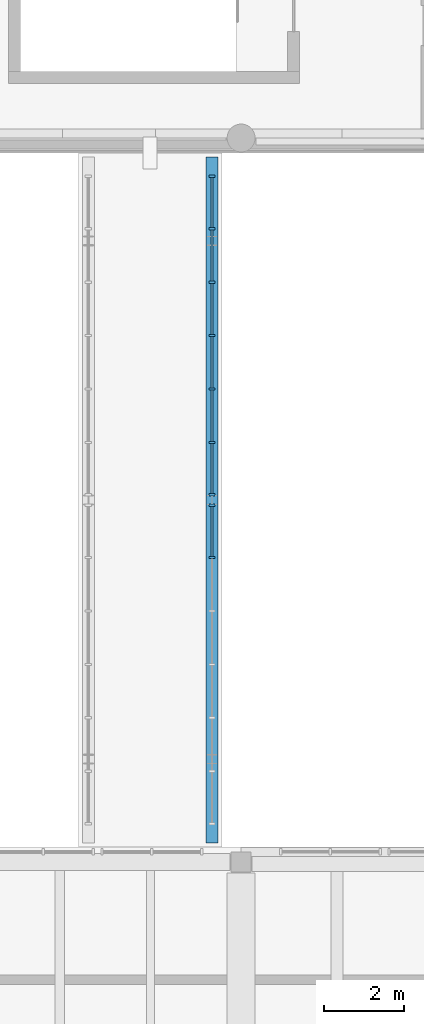
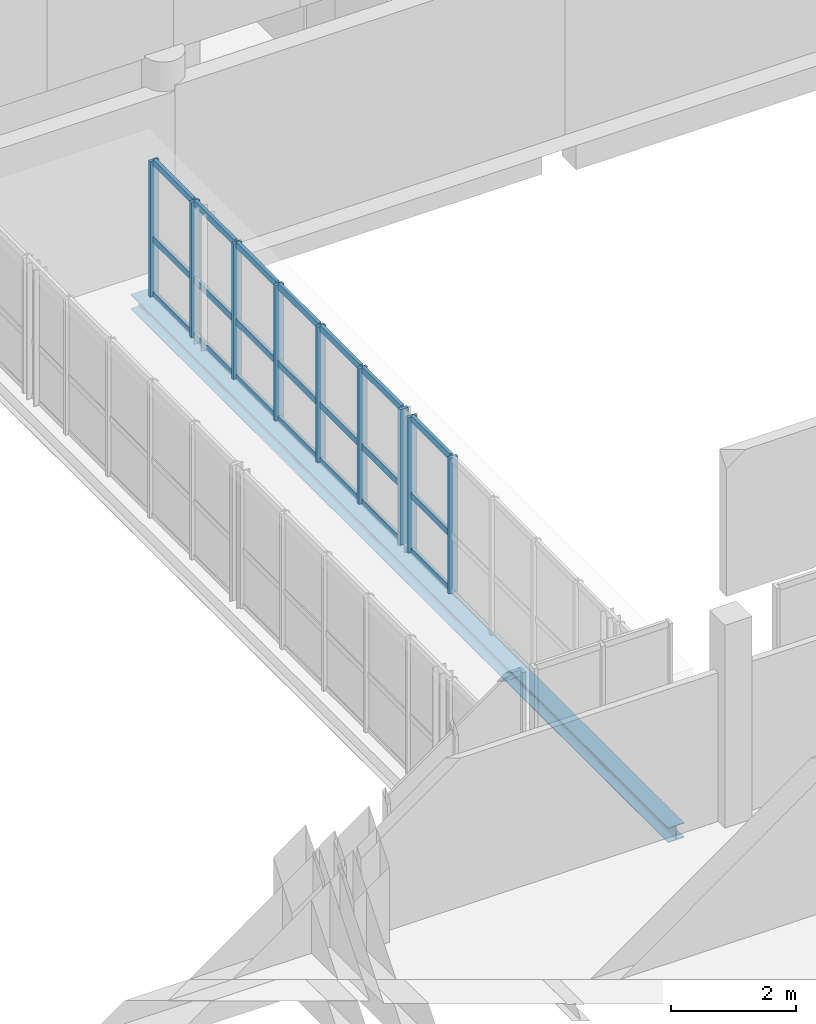
# One storey, part 13 of 76: 30 members, 1 beam, 2 elements without a shape of their own.
"""IFC4 building model written with IfcOpenShell, lengths in metres."""

from ifc_helpers import new_model, si_unit, direction, frame, origin, origin_2d, place, context, subcontext, project, spatial, rectangle, i_section, extrude, material, layer, layer_set, material_profile, profile_set, type_object, element, aggregate, save


model = new_model("IFC4")

# Units and contexts
model_context = context("Model", 3, precision=1e-05, world=origin(), true_north=direction((0.0, 1.0)))
body_context = subcontext(model_context, "Body", "Model", "MODEL_VIEW")
ifc_project = project(units=[si_unit("LENGTHUNIT", "METRE"), si_unit("AREAUNIT", "SQUARE_METRE"), si_unit("VOLUMEUNIT", "CUBIC_METRE"), si_unit("PLANEANGLEUNIT", "RADIAN"), si_unit("MASSUNIT", "GRAM", prefix="KILO")], contexts=[model_context])

# Site, building, storey
site_placement = place(None, origin())
site = spatial("IfcSite", under=ifc_project, at=site_placement, CompositionType="ELEMENT")
building_placement = place(site_placement, origin())
building = spatial("IfcBuilding", under=site, at=building_placement, Name="Vardoun Plaza Health Centre", CompositionType="ELEMENT")
storey_placement = place(building_placement, frame((0.0, 0.0, 4.5)))
storey = spatial("IfcBuildingStorey", under=building, at=storey_placement, Name="L01", CompositionType="ELEMENT", Elevation=4.5)

# Beam
ifc_material_1 = material(Name="Steel S355J2", Category="steel")
ifc_material_profile_1 = material_profile(ifc_material_1, i_section(OverallWidth=0.300048828125, OverallDepth=0.2900390625, WebThickness=0.008544921875, FlangeThickness=0.013916015625, FilletRadius=0.027099609375, at=origin_2d()), Name="HEA 300")
ifc_profile_set_1 = profile_set([ifc_material_profile_1], Name="Steel S355J2")
beam_type = type_object("IfcBeamType", Name="SB-05", PredefinedType="BEAM", material=ifc_profile_set_1)
beam_placement = place(storey_placement, frame((54.35009765625, 19.0, -0.364990234375), z_axis=(0.0, 1.0, 0.0), x_axis=(-1.0, 0.0, 0.0)))
element("IfcBeam", 1, at=beam_placement, inside=storey, type_object=beam_type, Name="Bridge BR-06 Edge Steel Girder E", PredefinedType="BEAM", context=body_context, shape_type="SweptSolid", body=[
    extrude(i_section(OverallWidth=0.300048828125, OverallDepth=0.2900390625, WebThickness=0.008544921875, FlangeThickness=0.013916015625, FilletRadius=0.027099609375, at=origin_2d()), origin(), (0.0, 0.0, 1.0), 17.199951171875),
])

# Curtain wall, members
ifc_material_2 = material(Name="Aluminium Alloy EN AW-6063-T6 and Low-E Glass", Category="aluminium")
ifc_layer = layer(ifc_material_2, 0.14990234375)
ifc_layer_set = layer_set([ifc_layer], Name="Aluminium Alloy EN AW-6063-T6 and Low-E Glass")
curtain_wall_type = type_object("IfcCurtainWallType", Name="CW-03", PredefinedType="NOTDEFINED", material=ifc_layer_set)
curtain_wall_1_placement = place(storey_placement, origin())
curtain_wall_1 = element("IfcCurtainWall", 2, at=curtain_wall_1_placement, inside=storey, type_object=curtain_wall_type, Name="Curtain Wall CW-BR-6ES", PredefinedType="NOTDEFINED")
ifc_material_3 = material(Name="Aluminium Alloy EN AW-6063-T6", Category="aluminium")
ifc_material_profile_2 = material_profile(ifc_material_3, rectangle(XDim=0.159912109375, YDim=0.06005859375, at=origin_2d()), Name="CWM 60x160")
ifc_profile_set_2 = profile_set([ifc_material_profile_2], Name="Aluminium Alloy EN AW-6063-T6")
member_type_1 = type_object("IfcMemberType", Name="CW-M1", PredefinedType="MULLION", material=ifc_profile_set_2)
member_1_placement = place(storey_placement, frame((54.35009765625, 27.469970703125, 0.0), z_axis=(0.0, 0.0, 1.0), x_axis=(1.0, 0.0, 0.0)))
member_1 = element("IfcMember", 3, at=member_1_placement, type_object=member_type_1, Name="CW-BR-6ES mullion 1", PredefinedType="MULLION", context=body_context, shape_type="SweptSolid", body=[
    extrude(rectangle(XDim=0.159912109375, YDim=0.06005859375, at=origin_2d()), origin(), (0.0, 0.0, 1.0), 2.64990234375),
])
member_2_placement = place(storey_placement, frame((54.35009765625, 26.158447265625, 0.0), z_axis=(0.0, 0.0, 1.0), x_axis=(1.0, 0.0, 0.0)))
member_2 = element("IfcMember", 4, at=member_2_placement, type_object=member_type_1, Name="CW-BR-6ES mullion 2", PredefinedType="MULLION", context=body_context, shape_type="SweptSolid", body=[
    extrude(rectangle(XDim=0.159912109375, YDim=0.06005859375, at=origin_2d()), origin(), (0.0, 0.0, 1.0), 2.64990234375),
])

curtain_wall_2_placement = place(storey_placement, origin())
curtain_wall_2 = element("IfcCurtainWall", 5, at=curtain_wall_2_placement, inside=storey, type_object=curtain_wall_type, Name="Curtain Wall CW-BR-6EN", PredefinedType="NOTDEFINED")
member_3_placement = place(storey_placement, frame((54.35009765625, 35.719970703125, 0.0), z_axis=(0.0, 0.0, 1.0), x_axis=(1.0, 0.0, 0.0)))
member_3 = element("IfcMember", 6, at=member_3_placement, type_object=member_type_1, Name="CW-BR-6EN mullion 1", PredefinedType="MULLION", context=body_context, shape_type="SweptSolid", body=[
    extrude(rectangle(XDim=0.159912109375, YDim=0.06005859375, at=origin_2d()), origin(), (0.0, 0.0, 1.0), 2.64990234375),
])
member_4_placement = place(storey_placement, frame((54.35009765625, 34.408447265625, 0.0), z_axis=(0.0, 0.0, 1.0), x_axis=(1.0, 0.0, 0.0)))
member_4 = element("IfcMember", 7, at=member_4_placement, type_object=member_type_1, Name="CW-BR-6EN mullion 2", PredefinedType="MULLION", context=body_context, shape_type="SweptSolid", body=[
    extrude(rectangle(XDim=0.159912109375, YDim=0.06005859375, at=origin_2d()), origin(), (0.0, 0.0, 1.0), 2.64990234375),
])
member_5_placement = place(storey_placement, frame((54.35009765625, 33.066650390625, 0.0), z_axis=(0.0, 0.0, 1.0), x_axis=(1.0, 0.0, 0.0)))
member_5 = element("IfcMember", 8, at=member_5_placement, type_object=member_type_1, Name="CW-BR-6EN mullion 3", PredefinedType="MULLION", context=body_context, shape_type="SweptSolid", body=[
    extrude(rectangle(XDim=0.159912109375, YDim=0.06005859375, at=origin_2d()), origin(), (0.0, 0.0, 1.0), 2.64990234375),
])
member_6_placement = place(storey_placement, frame((54.35009765625, 31.72509765625, 0.0), z_axis=(0.0, 0.0, 1.0), x_axis=(1.0, 0.0, 0.0)))
member_6 = element("IfcMember", 9, at=member_6_placement, type_object=member_type_1, Name="CW-BR-6EN mullion 4", PredefinedType="MULLION", context=body_context, shape_type="SweptSolid", body=[
    extrude(rectangle(XDim=0.159912109375, YDim=0.06005859375, at=origin_2d()), origin(), (0.0, 0.0, 1.0), 2.64990234375),
])
member_7_placement = place(storey_placement, frame((54.35009765625, 30.38330078125, 0.0), z_axis=(0.0, 0.0, 1.0), x_axis=(1.0, 0.0, 0.0)))
member_7 = element("IfcMember", 10, at=member_7_placement, type_object=member_type_1, Name="CW-BR-6EN mullion 5", PredefinedType="MULLION", context=body_context, shape_type="SweptSolid", body=[
    extrude(rectangle(XDim=0.159912109375, YDim=0.06005859375, at=origin_2d()), origin(), (0.0, 0.0, 1.0), 2.64990234375),
])
member_8_placement = place(storey_placement, frame((54.35009765625, 29.041748046875, 0.0), z_axis=(0.0, 0.0, 1.0), x_axis=(1.0, 0.0, 0.0)))
member_8 = element("IfcMember", 11, at=member_8_placement, type_object=member_type_1, Name="CW-BR-6EN mullion 6", PredefinedType="MULLION", context=body_context, shape_type="SweptSolid", body=[
    extrude(rectangle(XDim=0.159912109375, YDim=0.06005859375, at=origin_2d()), origin(), (0.0, 0.0, 1.0), 2.64990234375),
])
member_9_placement = place(storey_placement, frame((54.35009765625, 27.72998046875, 0.0), z_axis=(0.0, 0.0, 1.0), x_axis=(1.0, 0.0, 0.0)))
member_9 = element("IfcMember", 12, at=member_9_placement, type_object=member_type_1, Name="CW-BR-6EN mullion 7", PredefinedType="MULLION", context=body_context, shape_type="SweptSolid", body=[
    extrude(rectangle(XDim=0.159912109375, YDim=0.06005859375, at=origin_2d()), origin(), (0.0, 0.0, 1.0), 2.64990234375),
])

# Member
ifc_material_4 = material(Name="Aluminium Alloy EN AW-6063-T6", Category="aluminium")
ifc_material_profile_3 = material_profile(ifc_material_4, rectangle(XDim=0.06005859375, YDim=0.1201171875, at=origin_2d()), Name="CWT 60x120")
ifc_profile_set_3 = profile_set([ifc_material_profile_3], Name="Aluminium Alloy EN AW-6063-T6")
member_type_2 = type_object("IfcMemberType", Name="CW-T1", PredefinedType="USERDEFINED", material=ifc_profile_set_3)
member_10_placement = place(storey_placement, frame((54.35009765625, 27.440185546875, 0.030029296875), z_axis=(0.0, -1.0, 0.0), x_axis=(1.0, 0.0, 0.0)))
member_10 = element("IfcMember", 13, at=member_10_placement, type_object=member_type_2, Name="CW-BR-6ES transom 1.1", ObjectType="TRANSOM", PredefinedType="USERDEFINED", context=body_context, shape_type="SweptSolid", body=[
    extrude(rectangle(XDim=0.06005859375, YDim=0.1201171875, at=origin_2d()), origin(), (0.0, 0.0, 1.0), 1.251708984375),
])

member_11_placement = place(storey_placement, frame((54.35009765625, 27.440185546875, 1.113037109375), z_axis=(0.0, -1.0, 0.0), x_axis=(1.0, 0.0, 0.0)))
member_11 = element("IfcMember", 14, at=member_11_placement, type_object=member_type_2, Name="CW-BR-6ES transom 1.2", ObjectType="TRANSOM", PredefinedType="USERDEFINED", context=body_context, shape_type="SweptSolid", body=[
    extrude(rectangle(XDim=0.06005859375, YDim=0.1201171875, at=origin_2d()), origin(), (0.0, 0.0, 1.0), 1.251708984375),
])

member_12_placement = place(storey_placement, frame((54.35009765625, 27.440185546875, 2.6201171875), z_axis=(0.0, -1.0, 0.0), x_axis=(1.0, 0.0, 0.0)))
member_12 = element("IfcMember", 15, at=member_12_placement, type_object=member_type_2, Name="CW-BR-6ES transom 1.3", ObjectType="TRANSOM", PredefinedType="USERDEFINED", context=body_context, shape_type="SweptSolid", body=[
    extrude(rectangle(XDim=0.06005859375, YDim=0.1201171875, at=origin_2d()), origin(), (0.0, 0.0, 1.0), 1.251708984375),
])

aggregate(curtain_wall_1, [member_1, member_2, member_10, member_11, member_12])

member_13_placement = place(storey_placement, frame((54.35009765625, 35.68994140625, 0.030029296875), z_axis=(0.0, -1.0, 0.0), x_axis=(1.0, 0.0, 0.0)))
member_13 = element("IfcMember", 16, at=member_13_placement, type_object=member_type_2, Name="CW-BR-6EN transom 1.1", ObjectType="TRANSOM", PredefinedType="USERDEFINED", context=body_context, shape_type="SweptSolid", body=[
    extrude(rectangle(XDim=0.06005859375, YDim=0.1201171875, at=origin_2d()), origin(), (0.0, 0.0, 1.0), 1.251708984375),
])

member_14_placement = place(storey_placement, frame((54.35009765625, 35.68994140625, 1.113037109375), z_axis=(0.0, -1.0, 0.0), x_axis=(1.0, 0.0, 0.0)))
member_14 = element("IfcMember", 17, at=member_14_placement, type_object=member_type_2, Name="CW-BR-6EN transom 1.2", ObjectType="TRANSOM", PredefinedType="USERDEFINED", context=body_context, shape_type="SweptSolid", body=[
    extrude(rectangle(XDim=0.06005859375, YDim=0.1201171875, at=origin_2d()), origin(), (0.0, 0.0, 1.0), 1.251708984375),
])

member_15_placement = place(storey_placement, frame((54.35009765625, 35.68994140625, 2.6201171875), z_axis=(0.0, -1.0, 0.0), x_axis=(1.0, 0.0, 0.0)))
member_15 = element("IfcMember", 18, at=member_15_placement, type_object=member_type_2, Name="CW-BR-6EN transom 1.3", ObjectType="TRANSOM", PredefinedType="USERDEFINED", context=body_context, shape_type="SweptSolid", body=[
    extrude(rectangle(XDim=0.06005859375, YDim=0.1201171875, at=origin_2d()), origin(), (0.0, 0.0, 1.0), 1.251708984375),
])

member_16_placement = place(storey_placement, frame((54.35009765625, 34.37841796875, 0.030029296875), z_axis=(0.0, -1.0, 0.0), x_axis=(1.0, 0.0, 0.0)))
member_16 = element("IfcMember", 19, at=member_16_placement, type_object=member_type_2, Name="CW-BR-6EN transom 2.1", ObjectType="TRANSOM", PredefinedType="USERDEFINED", context=body_context, shape_type="SweptSolid", body=[
    extrude(rectangle(XDim=0.06005859375, YDim=0.1201171875, at=origin_2d()), origin(), (0.0, 0.0, 1.0), 1.28173828125),
])

member_17_placement = place(storey_placement, frame((54.35009765625, 34.37841796875, 1.113037109375), z_axis=(0.0, -1.0, 0.0), x_axis=(1.0, 0.0, 0.0)))
member_17 = element("IfcMember", 20, at=member_17_placement, type_object=member_type_2, Name="CW-BR-6EN transom 2.2", ObjectType="TRANSOM", PredefinedType="USERDEFINED", context=body_context, shape_type="SweptSolid", body=[
    extrude(rectangle(XDim=0.06005859375, YDim=0.1201171875, at=origin_2d()), origin(), (0.0, 0.0, 1.0), 1.28173828125),
])

member_18_placement = place(storey_placement, frame((54.35009765625, 34.37841796875, 2.6201171875), z_axis=(0.0, -1.0, 0.0), x_axis=(1.0, 0.0, 0.0)))
member_18 = element("IfcMember", 21, at=member_18_placement, type_object=member_type_2, Name="CW-BR-6EN transom 2.3", ObjectType="TRANSOM", PredefinedType="USERDEFINED", context=body_context, shape_type="SweptSolid", body=[
    extrude(rectangle(XDim=0.06005859375, YDim=0.1201171875, at=origin_2d()), origin(), (0.0, 0.0, 1.0), 1.28173828125),
])

member_19_placement = place(storey_placement, frame((54.35009765625, 33.03662109375, 0.030029296875), z_axis=(0.0, -1.0, 0.0), x_axis=(1.0, 0.0, 0.0)))
member_19 = element("IfcMember", 22, at=member_19_placement, type_object=member_type_2, Name="CW-BR-6EN transom 3.1", ObjectType="TRANSOM", PredefinedType="USERDEFINED", context=body_context, shape_type="SweptSolid", body=[
    extrude(rectangle(XDim=0.06005859375, YDim=0.1201171875, at=origin_2d()), origin(), (0.0, 0.0, 1.0), 1.28173828125),
])

member_20_placement = place(storey_placement, frame((54.35009765625, 33.03662109375, 1.113037109375), z_axis=(0.0, -1.0, 0.0), x_axis=(1.0, 0.0, 0.0)))
member_20 = element("IfcMember", 23, at=member_20_placement, type_object=member_type_2, Name="CW-BR-6EN transom 3.2", ObjectType="TRANSOM", PredefinedType="USERDEFINED", context=body_context, shape_type="SweptSolid", body=[
    extrude(rectangle(XDim=0.06005859375, YDim=0.1201171875, at=origin_2d()), origin(), (0.0, 0.0, 1.0), 1.28173828125),
])

member_21_placement = place(storey_placement, frame((54.35009765625, 33.03662109375, 2.6201171875), z_axis=(0.0, -1.0, 0.0), x_axis=(1.0, 0.0, 0.0)))
member_21 = element("IfcMember", 24, at=member_21_placement, type_object=member_type_2, Name="CW-BR-6EN transom 3.3", ObjectType="TRANSOM", PredefinedType="USERDEFINED", context=body_context, shape_type="SweptSolid", body=[
    extrude(rectangle(XDim=0.06005859375, YDim=0.1201171875, at=origin_2d()), origin(), (0.0, 0.0, 1.0), 1.28173828125),
])

member_22_placement = place(storey_placement, frame((54.35009765625, 31.695068359375, 0.030029296875), z_axis=(0.0, -1.0, 0.0), x_axis=(1.0, 0.0, 0.0)))
member_22 = element("IfcMember", 25, at=member_22_placement, type_object=member_type_2, Name="CW-BR-6EN transom 4.1", ObjectType="TRANSOM", PredefinedType="USERDEFINED", context=body_context, shape_type="SweptSolid", body=[
    extrude(rectangle(XDim=0.06005859375, YDim=0.1201171875, at=origin_2d()), origin(), (0.0, 0.0, 1.0), 1.28173828125),
])

member_23_placement = place(storey_placement, frame((54.35009765625, 31.695068359375, 1.113037109375), z_axis=(0.0, -1.0, 0.0), x_axis=(1.0, 0.0, 0.0)))
member_23 = element("IfcMember", 26, at=member_23_placement, type_object=member_type_2, Name="CW-BR-6EN transom 4.2", ObjectType="TRANSOM", PredefinedType="USERDEFINED", context=body_context, shape_type="SweptSolid", body=[
    extrude(rectangle(XDim=0.06005859375, YDim=0.1201171875, at=origin_2d()), origin(), (0.0, 0.0, 1.0), 1.28173828125),
])

member_24_placement = place(storey_placement, frame((54.35009765625, 31.695068359375, 2.6201171875), z_axis=(0.0, -1.0, 0.0), x_axis=(1.0, 0.0, 0.0)))
member_24 = element("IfcMember", 27, at=member_24_placement, type_object=member_type_2, Name="CW-BR-6EN transom 4.3", ObjectType="TRANSOM", PredefinedType="USERDEFINED", context=body_context, shape_type="SweptSolid", body=[
    extrude(rectangle(XDim=0.06005859375, YDim=0.1201171875, at=origin_2d()), origin(), (0.0, 0.0, 1.0), 1.28173828125),
])

member_25_placement = place(storey_placement, frame((54.35009765625, 30.353515625, 0.030029296875), z_axis=(0.0, -1.0, 0.0), x_axis=(1.0, 0.0, 0.0)))
member_25 = element("IfcMember", 28, at=member_25_placement, type_object=member_type_2, Name="CW-BR-6EN transom 5.1", ObjectType="TRANSOM", PredefinedType="USERDEFINED", context=body_context, shape_type="SweptSolid", body=[
    extrude(rectangle(XDim=0.06005859375, YDim=0.1201171875, at=origin_2d()), origin(), (0.0, 0.0, 1.0), 1.28173828125),
])

member_26_placement = place(storey_placement, frame((54.35009765625, 30.353515625, 1.113037109375), z_axis=(0.0, -1.0, 0.0), x_axis=(1.0, 0.0, 0.0)))
member_26 = element("IfcMember", 29, at=member_26_placement, type_object=member_type_2, Name="CW-BR-6EN transom 5.2", ObjectType="TRANSOM", PredefinedType="USERDEFINED", context=body_context, shape_type="SweptSolid", body=[
    extrude(rectangle(XDim=0.06005859375, YDim=0.1201171875, at=origin_2d()), origin(), (0.0, 0.0, 1.0), 1.28173828125),
])

member_27_placement = place(storey_placement, frame((54.35009765625, 30.353515625, 2.6201171875), z_axis=(0.0, -1.0, 0.0), x_axis=(1.0, 0.0, 0.0)))
member_27 = element("IfcMember", 30, at=member_27_placement, type_object=member_type_2, Name="CW-BR-6EN transom 5.3", ObjectType="TRANSOM", PredefinedType="USERDEFINED", context=body_context, shape_type="SweptSolid", body=[
    extrude(rectangle(XDim=0.06005859375, YDim=0.1201171875, at=origin_2d()), origin(), (0.0, 0.0, 1.0), 1.28173828125),
])

member_28_placement = place(storey_placement, frame((54.35009765625, 29.01171875, 0.030029296875), z_axis=(0.0, -1.0, 0.0), x_axis=(1.0, 0.0, 0.0)))
member_28 = element("IfcMember", 31, at=member_28_placement, type_object=member_type_2, Name="CW-BR-6EN transom 6.1", ObjectType="TRANSOM", PredefinedType="USERDEFINED", context=body_context, shape_type="SweptSolid", body=[
    extrude(rectangle(XDim=0.06005859375, YDim=0.1201171875, at=origin_2d()), origin(), (0.0, 0.0, 1.0), 1.251708984375),
])

member_29_placement = place(storey_placement, frame((54.35009765625, 29.01171875, 1.113037109375), z_axis=(0.0, -1.0, 0.0), x_axis=(1.0, 0.0, 0.0)))
member_29 = element("IfcMember", 32, at=member_29_placement, type_object=member_type_2, Name="CW-BR-6EN transom 6.2", ObjectType="TRANSOM", PredefinedType="USERDEFINED", context=body_context, shape_type="SweptSolid", body=[
    extrude(rectangle(XDim=0.06005859375, YDim=0.1201171875, at=origin_2d()), origin(), (0.0, 0.0, 1.0), 1.251708984375),
])

member_30_placement = place(storey_placement, frame((54.35009765625, 29.01171875, 2.6201171875), z_axis=(0.0, -1.0, 0.0), x_axis=(1.0, 0.0, 0.0)))
member_30 = element("IfcMember", 33, at=member_30_placement, type_object=member_type_2, Name="CW-BR-6EN transom 6.3", ObjectType="TRANSOM", PredefinedType="USERDEFINED", context=body_context, shape_type="SweptSolid", body=[
    extrude(rectangle(XDim=0.06005859375, YDim=0.1201171875, at=origin_2d()), origin(), (0.0, 0.0, 1.0), 1.251708984375),
])

aggregate(curtain_wall_2, [member_3, member_4, member_5, member_6, member_7, member_8, member_9, member_13, member_14, member_15, member_16, member_17, member_18, member_19, member_20, member_21, member_22, member_23, member_24, member_25, member_26, member_27, member_28, member_29, member_30])

save(model, "model.ifc")
